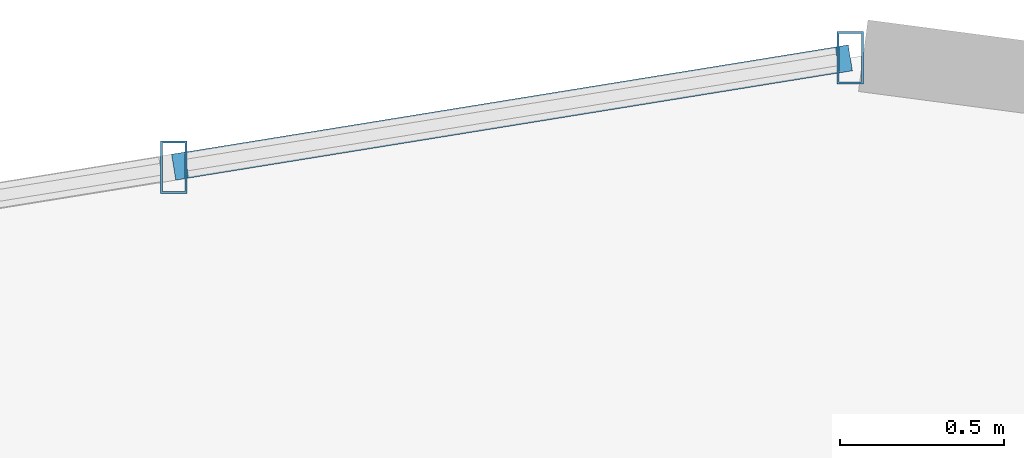
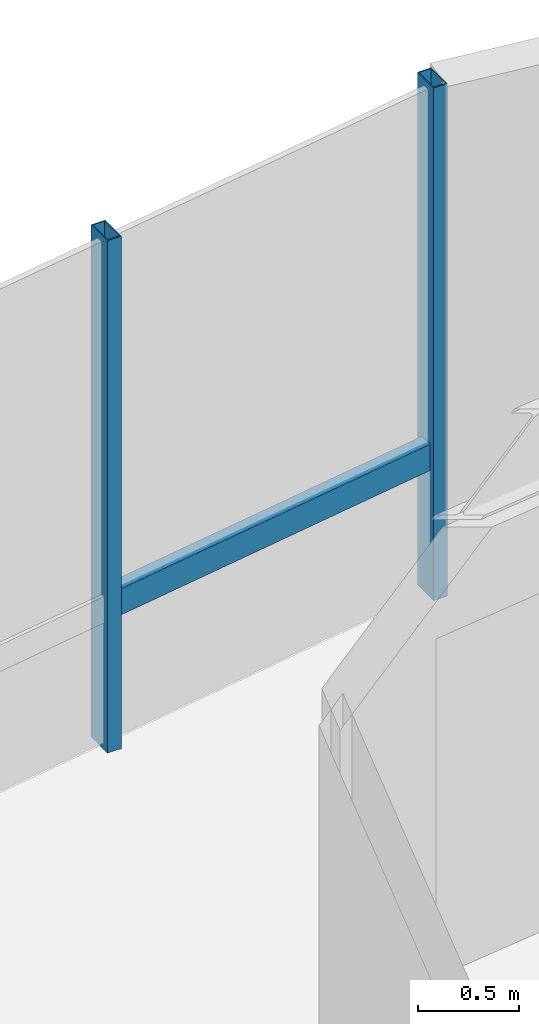
# One storey, part 16 of 23: 3 members, 1 element without a shape of its own.
"""IFC4 building model written with IfcOpenShell, lengths in metres."""

import ifcopenshell
import ifcopenshell.guid

model = None  # the IFC model being written
_history = None  # IfcOwnerHistory: only IFC2X3 demands one
_inside = {}  # id of a spatial element -> (the spatial element, [elements in it])
_under = {}  # id of a project, library or spatial element -> (it, [spatial elements below it])
_declared = {}  # id of a project -> (the project, [libraries it declares])
_typed = {}  # id of a type object -> (the type object, [elements of that type])
_made_of = {}  # id of a material, layer set ... -> (it, [elements and type objects made of it])


def new_model(schema):
    """Start an empty IFC model of exactly this schema.

    Asked for "IFC4X3", IfcOpenShell would pick the latest addendum, in which some entities
    have other attributes; the version numbers below select the first issue.
    IFC2X3 requires an IfcOwnerHistory on every rooted entity: one is made here for all.
    """
    global model, _history
    if schema == "IFC4X3":
        model = ifcopenshell.file(schema_version=(4, 3, 0, 0))
    else:
        model = ifcopenshell.file(schema=schema)
    _inside.clear()
    _under.clear()
    _declared.clear()
    _typed.clear()
    _made_of.clear()
    _history = None
    if model.schema == "IFC2X3":
        org = make("IfcOrganization", Name="unknown")
        user = make(
            "IfcPersonAndOrganization",
            ThePerson=make("IfcPerson", FamilyName="unknown"),
            TheOrganization=org,
        )
        app = make(
            "IfcApplication",
            ApplicationDeveloper=org,
            Version="unknown",
            ApplicationFullName="unknown",
            ApplicationIdentifier="unknown",
        )
        _history = make(
            "IfcOwnerHistory",
            OwningUser=user,
            OwningApplication=app,
            ChangeAction="ADDED",
            CreationDate=0,
        )
    return model


def make(cls, **values):
    """One entity of the class cls with the attributes given. An attribute that is None is left unset."""
    return model.create_entity(
        cls, **{name: value for name, value in values.items() if value is not None}
    )


def rooted(cls, **values):
    """An entity with a GlobalId (a new one), such as an element, a storey or a relation."""
    return make(cls, GlobalId=ifcopenshell.guid.new(), OwnerHistory=_history, **values)


def si_unit(unit_type, name, prefix=None):
    """IfcSIUnit, for example si_unit("LENGTHUNIT", "METRE", prefix="MILLI")."""
    return make("IfcSIUnit", UnitType=unit_type, Prefix=prefix, Name=name)


def assignment(units):
    """IfcUnitAssignment: the units of a project."""
    return None if units is None else make("IfcUnitAssignment", Units=units)


def point(xyz):
    """IfcCartesianPoint."""
    return None if xyz is None else make("IfcCartesianPoint", Coordinates=xyz)


def direction(xyz):
    """IfcDirection."""
    return None if xyz is None else make("IfcDirection", DirectionRatios=xyz)


def frame(location, z_axis=None, x_axis=None):
    """IfcAxis2Placement3D, a coordinate frame: its origin and axes. An axis left out is left unset."""
    return make(
        "IfcAxis2Placement3D",
        Location=point(location),
        Axis=direction(z_axis),
        RefDirection=direction(x_axis),
    )


def frame_2d(location, x_axis=None):
    """IfcAxis2Placement2D, a coordinate frame in the plane: its origin and x axis."""
    return make(
        "IfcAxis2Placement2D", Location=point(location), RefDirection=direction(x_axis)
    )


def origin():
    """The frame at (0, 0, 0) with its axes left unset."""
    return frame((0.0, 0.0, 0.0))


def origin_2d():
    """The frame at (0, 0) in the plane with its x axis left unset."""
    return frame_2d((0.0, 0.0))


def place(relative_to, where):
    """IfcLocalPlacement: puts the frame where relative to a parent placement (None: the world)."""
    return make(
        "IfcLocalPlacement", PlacementRelTo=relative_to, RelativePlacement=where
    )


def context(
    kind, dimensions, precision=None, world=None, true_north=None, identifier=None
):
    """IfcGeometricRepresentationContext, for example the 3D "Model" context."""
    return make(
        "IfcGeometricRepresentationContext",
        ContextIdentifier=identifier,
        ContextType=kind,
        CoordinateSpaceDimension=dimensions,
        Precision=precision,
        WorldCoordinateSystem=world,
        TrueNorth=true_north,
    )


def subcontext(parent, identifier, kind, view, scale=None):
    """IfcGeometricRepresentationSubContext, for example "Body" below "Model"."""
    return make(
        "IfcGeometricRepresentationSubContext",
        ContextIdentifier=identifier,
        ContextType=kind,
        ParentContext=parent,
        TargetScale=scale,
        TargetView=view,
    )


def project(units=None, contexts=None):
    """IfcProject with its units and contexts."""
    return rooted(
        "IfcProject",
        Name="project",
        RepresentationContexts=contexts,
        UnitsInContext=assignment(units),
    )


def spatial(cls, under=None, at=None, **own):
    """A site, building, storey or space (cls), placed at a placement, below another one or the project."""
    s = rooted(cls, ObjectPlacement=at, **own)
    if under is not None:
        _under.setdefault(under.id(), (under, []))[1].append(s)
    return s


def profile(cls, at=None, kind="AREA", **sizes):
    """A parametric profile (cls). Its sizes go by their IFC names, for example OverallWidth=200.0."""
    return make(cls, ProfileType=kind, Position=at, **sizes)


def hollow_rectangle(**sizes):
    """IfcRectangleHollowProfileDef."""
    return profile("IfcRectangleHollowProfileDef", **sizes)


def extrude(swept, where, along, depth):
    """IfcExtrudedAreaSolid: the profile swept, set in the frame where, extruded along a direction by depth."""
    return make(
        "IfcExtrudedAreaSolid",
        SweptArea=swept,
        Position=where,
        ExtrudedDirection=direction(along),
        Depth=depth,
    )


def shape(context_of_items, identifier, shape_type, items):
    """IfcShapeRepresentation: the items that make up one representation, for example the "Body"."""
    return make(
        "IfcShapeRepresentation",
        ContextOfItems=context_of_items,
        RepresentationIdentifier=identifier,
        RepresentationType=shape_type,
        Items=items,
    )


def source(mapping_origin, context_of_items, identifier, shape_type, items):
    """IfcRepresentationMap: a shape defined once, which mapped items show again and again."""
    return make(
        "IfcRepresentationMap",
        MappingOrigin=mapping_origin,
        MappedRepresentation=shape(context_of_items, identifier, shape_type, items),
    )


def transform(
    local_origin,
    x_axis=None,
    y_axis=None,
    z_axis=None,
    scale=None,
    scale2=None,
    scale3=None,
    uniform=True,
):
    """IfcCartesianTransformationOperator3D, or its non-uniform kind. x_axis, y_axis, z_axis: its Axis1, 2, 3."""
    if uniform:
        return make(
            "IfcCartesianTransformationOperator3D",
            Axis1=direction(x_axis),
            Axis2=direction(y_axis),
            LocalOrigin=point(local_origin),
            Scale=scale,
            Axis3=direction(z_axis),
        )
    return make(
        "IfcCartesianTransformationOperator3DnonUniform",
        Axis1=direction(x_axis),
        Axis2=direction(y_axis),
        LocalOrigin=point(local_origin),
        Scale=scale,
        Axis3=direction(z_axis),
        Scale2=scale2,
        Scale3=scale3,
    )


def mapped(mapping_source, mapping_target):
    """IfcMappedItem: shows the shape of a source again, moved by a transform."""
    return make(
        "IfcMappedItem", MappingSource=mapping_source, MappingTarget=mapping_target
    )


def material(Name=None, Category=None):
    """IfcMaterial."""
    return make("IfcMaterial", Name=Name, Category=Category)


def material_profile(
    of_material, cross_section, Name=None, Category=None, Priority=None
):
    """IfcMaterialProfile: a cross section and its material."""
    return make(
        "IfcMaterialProfile",
        Name=Name,
        Material=of_material,
        Profile=cross_section,
        Priority=Priority,
        Category=Category,
    )


def profile_set(profiles, Name=None, composite=None):
    """IfcMaterialProfileSet."""
    return make(
        "IfcMaterialProfileSet",
        Name=Name,
        MaterialProfiles=profiles,
        CompositeProfile=composite,
    )


def made_of(thing, what):
    """Note that an element or type object is made of a material, layer set ...; save() writes the relation."""
    if what is not None:
        _made_of.setdefault(what.id(), (what, []))[1].append(thing)
    return thing


def type_object(cls, material=None, **own):
    """A type object (cls), such as IfcWallType, which elements share."""
    return made_of(rooted(cls, **own), material)


def element(
    cls,
    number,
    at=None,
    inside=None,
    cuts=None,
    type_object=None,
    material=None,
    context=None,
    identifier="Body",
    shape_type=None,
    held_by="IfcProductDefinitionShape",
    body=None,
    shapes=None,
    **own,
):
    """One element of the class cls, such as IfcWall. Its Tag is "e" and its number.

    at: its placement. inside: the storey or other place that contains it. cuts: it is an
    opening in that element (IfcRelVoidsElement). A single representation is given by context,
    identifier, shape_type and body (its items); several are given by shapes. held_by: the class
    of the entity that holds the representations. save() writes the other relations.
    """
    e = rooted(cls, Tag="e%d" % number, ObjectPlacement=at, **own)
    if body is not None:
        shapes = [shape(context, identifier, shape_type, body)]
    if shapes is not None:
        e.Representation = make(held_by, Representations=shapes)
    if inside is not None:
        _inside.setdefault(inside.id(), (inside, []))[1].append(e)
    if cuts is not None:
        rooted(
            "IfcRelVoidsElement", RelatingBuildingElement=cuts, RelatedOpeningElement=e
        )
    if type_object is not None:
        _typed.setdefault(type_object.id(), (type_object, []))[1].append(e)
    return made_of(e, material)


def aggregate(whole, parts):
    """IfcRelAggregates: a whole, such as a stair, and the parts it consists of."""
    return rooted("IfcRelAggregates", RelatingObject=whole, RelatedObjects=parts)


def save(model, path):
    """Write the relations noted so far, then the file.

    IfcRelAggregates (storeys below a building ...), IfcRelContainedInSpatialStructure (elements
    in a storey), IfcRelDefinesByType, IfcRelAssociatesMaterial and IfcRelDeclares: one each for
    every whole, place, type object, material and project.
    """
    for whole, parts in _under.values():
        aggregate(whole, parts)
    for where, things in _inside.values():
        rooted(
            "IfcRelContainedInSpatialStructure",
            RelatedElements=things,
            RelatingStructure=where,
        )
    for kind, things in _typed.values():
        rooted("IfcRelDefinesByType", RelatedObjects=things, RelatingType=kind)
    for what, things in _made_of.values():
        rooted("IfcRelAssociatesMaterial", RelatedObjects=things, RelatingMaterial=what)
    for by, libraries in _declared.values():
        rooted("IfcRelDeclares", RelatingContext=by, RelatedDefinitions=libraries)
    model.write(path)


model = new_model("IFC4")

# Units and contexts
model_context = context("Model", 3, precision=1e-05, world=origin(), true_north=direction((0.0, 1.0)))
body_context = subcontext(model_context, "Body", "Model", "MODEL_VIEW")
ifc_project = project(units=[si_unit("LENGTHUNIT", "METRE"), si_unit("AREAUNIT", "SQUARE_METRE"), si_unit("VOLUMEUNIT", "CUBIC_METRE"), si_unit("PLANEANGLEUNIT", "RADIAN"), si_unit("MASSUNIT", "GRAM", prefix="KILO")], contexts=[model_context])

# Site, building, storey
site_placement = place(None, origin())
site = spatial("IfcSite", under=ifc_project, at=site_placement, CompositionType="ELEMENT")
building_placement = place(site_placement, origin())
building = spatial("IfcBuilding", under=site, at=building_placement, Name="Sahyath Konkavel Grand Hotel", CompositionType="ELEMENT")
storey_placement = place(building_placement, frame((0.0, 0.0, 251.199951171875)))
storey = spatial("IfcBuildingStorey", under=building, at=storey_placement, Name="L70", CompositionType="ELEMENT", Elevation=251.199951171875)

# Curtain wall, members
ifc_material_1 = material(Name="Anodised Bronze Aluminium & Low-E Glazing", Category="aluminium")
curtain_wall_type = type_object("IfcCurtainWallType", Name="CW-ZONE4", PredefinedType="NOTDEFINED", material=ifc_material_1)
curtain_wall_placement = place(storey_placement, origin())
curtain_wall = element("IfcCurtainWall", 1, at=curtain_wall_placement, inside=storey, type_object=curtain_wall_type, Name="L70 Unitised Curtain Wall F12", PredefinedType="NOTDEFINED")
ifc_material_2 = material(Name="Anodised Bronze Aluminium", Category="aluminium")
ifc_material_profile_1 = material_profile(ifc_material_2, hollow_rectangle(XDim=0.080078125, YDim=0.159912109375, WallThickness=0.006103515625, at=origin_2d()), Name="RHS 160x80x6")
ifc_profile_set_1 = profile_set([ifc_material_profile_1], Name="Anodised Bronze Aluminium")
member_type_1 = type_object("IfcMemberType", Name="CW-MUL-160", PredefinedType="MULLION", material=ifc_profile_set_1)
shared_shape_1 = source(origin(), body_context, "Body", "SweptSolid", [
    extrude(hollow_rectangle(XDim=0.080078125, YDim=0.159912109375, WallThickness=0.006103515625, at=origin_2d()), origin(), (0.0, 0.0, 1.0), 3.110107421875),
])
member_1_placement = place(storey_placement, frame((1.09326171875, 20.18115234375, 0.0), z_axis=(0.0, 0.0, 1.0), x_axis=(1.0, 0.0, 0.0)))
member_1 = element("IfcMember", 2, at=member_1_placement, type_object=member_type_1, Name="L70 Curtain Wall Mullion F12-0", PredefinedType="MULLION", context=body_context, shape_type="MappedRepresentation", body=[
    mapped(shared_shape_1, transform((0.0, 0.0, 0.0), scale=1.0)),
])
member_2_placement = place(storey_placement, frame((-0.97119140625, 19.847412109375, 0.0), z_axis=(0.0, 0.0, 1.0), x_axis=(1.0, 0.0, 0.0)))
member_2 = element("IfcMember", 3, at=member_2_placement, type_object=member_type_1, Name="L70 Curtain Wall Mullion F12-1", PredefinedType="MULLION", context=body_context, shape_type="MappedRepresentation", body=[
    mapped(shared_shape_1, transform((0.0, 0.0, 0.0), scale=1.0)),
])
ifc_material_profile_2 = material_profile(ifc_material_2, hollow_rectangle(XDim=0.080078125, YDim=0.159912109375, WallThickness=0.006103515625, at=origin_2d()), Name="RHS 160x80x6")
ifc_profile_set_2 = profile_set([ifc_material_profile_2], Name="Anodised Bronze Aluminium")
member_type_2 = type_object("IfcMemberType", Name="CW-TRN-160", PredefinedType="USERDEFINED", material=ifc_profile_set_2)
shared_shape_2 = source(origin(), body_context, "Body", "SweptSolid", [
    extrude(hollow_rectangle(XDim=0.080078125, YDim=0.159912109375, WallThickness=0.006103515625, at=origin_2d()), origin(), (0.0, 0.0, 1.0), 2.09130859375),
])
member_3_placement = place(storey_placement, frame((1.09326171875, 20.18115234375, 0.85009765625), z_axis=(-0.987183631938, -0.15958846084, 0.0), x_axis=(0.15958846084, -0.987183631938, 0.0)))
member_3 = element("IfcMember", 4, at=member_3_placement, type_object=member_type_2, Name="L70 Curtain Wall Transom F12-0-spandrel", ObjectType="TRANSOM", PredefinedType="USERDEFINED", context=body_context, shape_type="MappedRepresentation", body=[
    mapped(shared_shape_2, transform((0.0, 0.0, 0.0), scale=1.0)),
])
aggregate(curtain_wall, [member_1, member_2, member_3])

save(model, "model.ifc")
